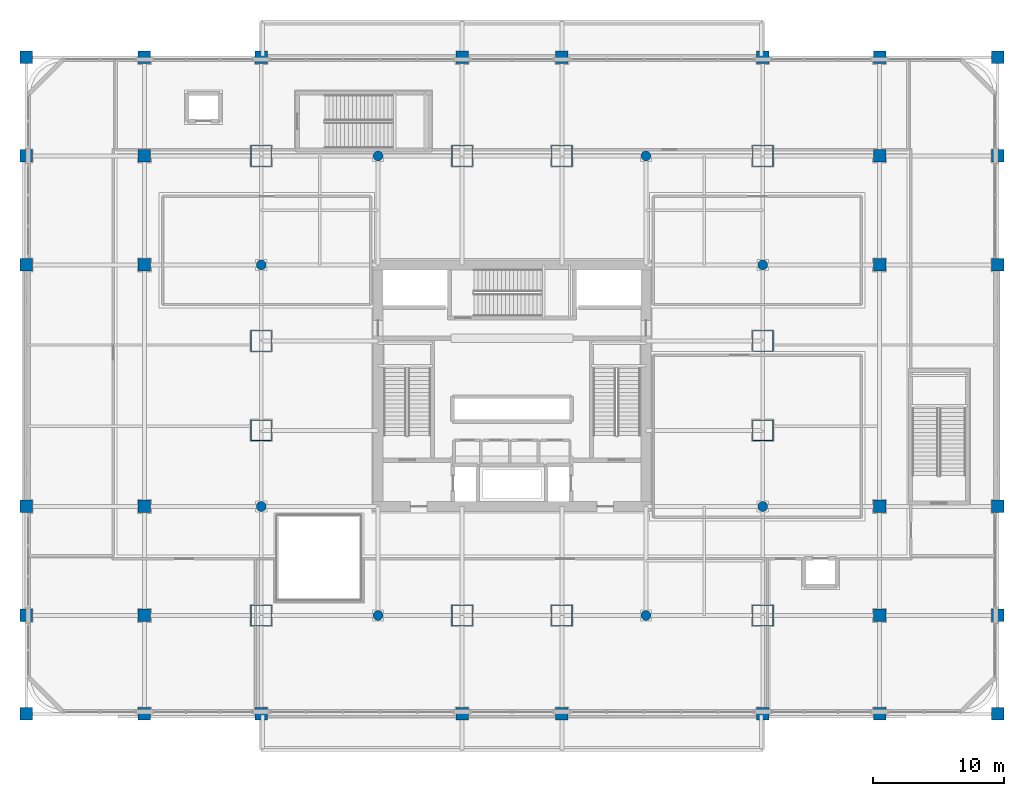
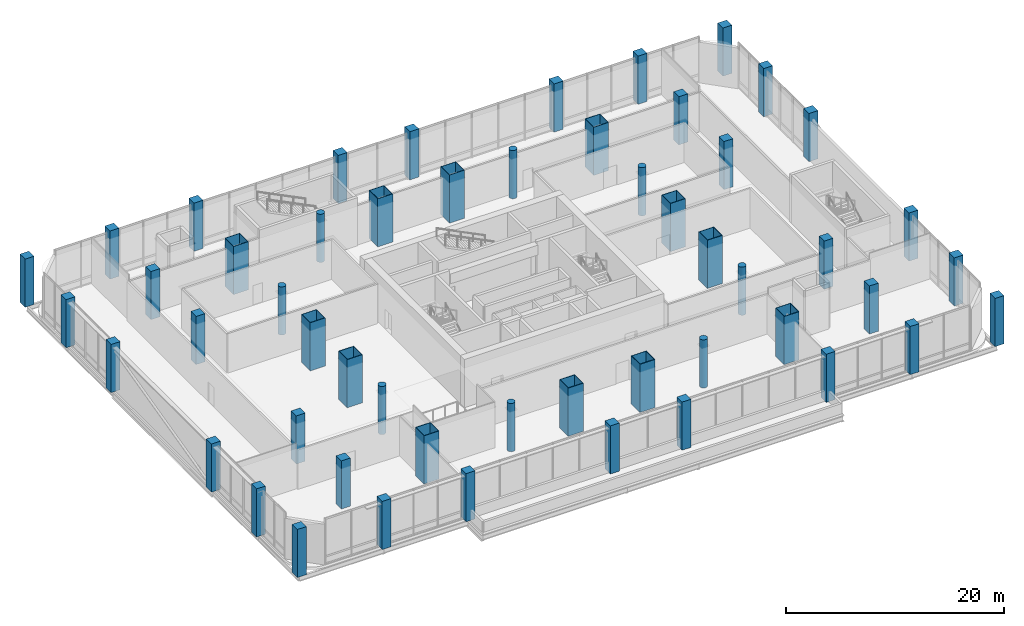
# One storey, part 1 of 43: 52 columns.
"""IFC4 building model written with IfcOpenShell, lengths in metres."""

from ifc_helpers import new_model, si_unit, direction, frame, origin, origin_2d, place, context, subcontext, project, spatial, rectangle, hollow_rectangle, circle, extrude, material, material_profile, profile_set, type_object, element, save


model = new_model("IFC4")

# Units and contexts
model_context = context("Model", 3, precision=1e-05, world=origin(), true_north=direction((0.0, 1.0)))
body_context = subcontext(model_context, "Body", "Model", "MODEL_VIEW")
ifc_project = project(units=[si_unit("LENGTHUNIT", "METRE"), si_unit("AREAUNIT", "SQUARE_METRE"), si_unit("VOLUMEUNIT", "CUBIC_METRE"), si_unit("PLANEANGLEUNIT", "RADIAN"), si_unit("MASSUNIT", "GRAM", prefix="KILO")], contexts=[model_context])

# Site, building, storey
site_placement = place(None, origin())
site = spatial("IfcSite", under=ifc_project, at=site_placement, CompositionType="ELEMENT")
building_placement = place(site_placement, origin())
building = spatial("IfcBuilding", under=site, at=building_placement, Name="Punatoya Terracotta Tower", CompositionType="ELEMENT")
storey_placement = place(building_placement, frame((0.0, 0.0, 6.0)))
storey = spatial("IfcBuildingStorey", under=building, at=storey_placement, Name="L01", CompositionType="ELEMENT", Elevation=6.0)

# Columns
ifc_material_1 = material(Name="Steel S460", Category="steel")
ifc_material_profile_1 = material_profile(ifc_material_1, hollow_rectangle(XDim=1.60009765625, YDim=1.60009765625, WallThickness=0.050048828125, at=origin_2d()))
ifc_profile_set_1 = profile_set([ifc_material_profile_1], Name="Steel S460")
column_type_1 = type_object("IfcColumnType", Name="COL-MC-Z0", PredefinedType="COLUMN", material=ifc_profile_set_1)
for number, where, z_axis, x_axis, name in (
    (1, (-19.10009765625, -17.5, 0.0), (0.0, 0.0, 1.0), (1.0, 0.0, 0.0), "L01 Composite Mega-Column MC-01 (3-B)"),
    (2, (-3.800048828125, -17.5, 0.0), (0.0, 0.0, 1.0), (1.0, 0.0, 0.0), "L01 Composite Mega-Column MC-02 (5-B)"),
    (3, (3.800048828125, -17.5, 0.0), (0.0, 0.0, 1.0), (1.0, 0.0, 0.0), "L01 Composite Mega-Column MC-03 (7-B)"),
    (4, (19.10009765625, -17.5, 0.0), (0.0, 0.0, 1.0), (1.0, 0.0, 0.0), "L01 Composite Mega-Column MC-04 (9-B)"),
    (5, (19.10009765625, -3.39990234375, 0.0), (0.0, 0.0, 1.0), (1.0, 0.0, 0.0), "L01 Composite Mega-Column MC-05 (9-D)"),
    (6, (19.10009765625, 3.39990234375, 0.0), (0.0, 0.0, 1.0), (1.0, 0.0, 0.0), "L01 Composite Mega-Column MC-06 (9-E)"),
    (7, (19.10009765625, 17.5, 0.0), (0.0, 0.0, 1.0), (1.0, 0.0, 0.0), "L01 Composite Mega-Column MC-07 (9-G)"),
    (8, (3.800048828125, 17.5, 0.0), (0.0, 0.0, 1.0), (1.0, 0.0, 0.0), "L01 Composite Mega-Column MC-08 (7-G)"),
    (9, (-3.800048828125, 17.5, 0.0), (0.0, 0.0, 1.0), (1.0, 0.0, 0.0), "L01 Composite Mega-Column MC-09 (5-G)"),
    (10, (-19.10009765625, 17.5, 0.0), (0.0, 0.0, 1.0), (1.0, 0.0, 0.0), "L01 Composite Mega-Column MC-10 (3-G)"),
    (11, (-19.10009765625, 3.39990234375, 0.0), (0.0, 0.0, 1.0), (1.0, 0.0, 0.0), "L01 Composite Mega-Column MC-11 (3-E)"),
    (12, (-19.10009765625, -3.39990234375, 0.0), (0.0, 0.0, 1.0), (1.0, 0.0, 0.0), "L01 Composite Mega-Column MC-12 (3-D)"),
):
    element("IfcColumn", number, at=place(storey_placement, frame(where, z_axis=z_axis, x_axis=x_axis)), inside=storey, type_object=column_type_1, Name=name, PredefinedType="COLUMN", context=body_context, shape_type="SweptSolid", body=[
        extrude(hollow_rectangle(XDim=1.60009765625, YDim=1.60009765625, WallThickness=0.050048828125, at=origin_2d()), origin(), (0.0, 0.0, 1.0), 5.39990234375),
    ])
ifc_material_2 = material(Name="Concrete C50/60", Category="concrete")
ifc_material_profile_2 = material_profile(ifc_material_2, circle(Radius=0.375, at=origin_2d()))
ifc_profile_set_2 = profile_set([ifc_material_profile_2], Name="Concrete C50/60")
column_type_2 = type_object("IfcColumnType", Name="COL-PIL-750", PredefinedType="PILASTER", material=ifc_profile_set_2)
for number, where, z_axis, x_axis, name in (
    (13, (-10.199951171875, -17.5, 0.0), (0.0, 0.0, 1.0), (1.0, 0.0, 0.0), "L01 Spine Arcade Pilaster PIL-01"),
    (14, (10.199951171875, -17.5, 0.0), (0.0, 0.0, 1.0), (1.0, 0.0, 0.0), "L01 Spine Arcade Pilaster PIL-02"),
    (15, (-10.199951171875, 17.5, 0.0), (0.0, 0.0, 1.0), (1.0, 0.0, 0.0), "L01 Spine Arcade Pilaster PIL-03"),
    (16, (10.199951171875, 17.5, 0.0), (0.0, 0.0, 1.0), (1.0, 0.0, 0.0), "L01 Spine Arcade Pilaster PIL-04"),
    (17, (-19.10009765625, -9.199951171875, 0.0), (0.0, 0.0, 1.0), (1.0, 0.0, 0.0), "L01 Spine Arcade Pilaster PIL-05"),
    (18, (19.10009765625, -9.199951171875, 0.0), (0.0, 0.0, 1.0), (1.0, 0.0, 0.0), "L01 Spine Arcade Pilaster PIL-06"),
    (19, (-19.10009765625, 9.199951171875, 0.0), (0.0, 0.0, 1.0), (1.0, 0.0, 0.0), "L01 Spine Arcade Pilaster PIL-07"),
    (20, (19.10009765625, 9.199951171875, 0.0), (0.0, 0.0, 1.0), (1.0, 0.0, 0.0), "L01 Spine Arcade Pilaster PIL-08"),
):
    element("IfcColumn", number, at=place(storey_placement, frame(where, z_axis=z_axis, x_axis=x_axis)), inside=storey, type_object=column_type_2, Name=name, PredefinedType="PILASTER", context=body_context, shape_type="SweptSolid", body=[
        extrude(circle(Radius=0.375, at=origin_2d()), origin(), (0.0, 0.0, 1.0), 5.39990234375),
    ])
ifc_material_3 = material(Name="Concrete C60/75", Category="concrete")
ifc_material_profile_3 = material_profile(ifc_material_3, rectangle(XDim=0.949951171875, YDim=0.949951171875, at=origin_2d()))
ifc_profile_set_3 = profile_set([ifc_material_profile_3], Name="Concrete C60/75")
column_type_3 = type_object("IfcColumnType", Name="COL-RC-950", PredefinedType="COLUMN", material=ifc_profile_set_3)
for number, where, z_axis, x_axis, name in (
    (21, (-37.0, -25.0, 0.0), (0.0, 0.0, 1.0), (1.0, 0.0, 0.0), "L01 Podium Column PC-01 (1-A)"),
    (22, (-28.0, -25.0, 0.0), (0.0, 0.0, 1.0), (1.0, 0.0, 0.0), "L01 Podium Column PC-02 (2-A)"),
    (23, (-19.10009765625, -25.0, 0.0), (0.0, 0.0, 1.0), (1.0, 0.0, 0.0), "L01 Podium Column PC-03 (3-A)"),
    (24, (-3.800048828125, -25.0, 0.0), (0.0, 0.0, 1.0), (1.0, 0.0, 0.0), "L01 Podium Column PC-04 (5-A)"),
    (25, (3.800048828125, -25.0, 0.0), (0.0, 0.0, 1.0), (1.0, 0.0, 0.0), "L01 Podium Column PC-05 (7-A)"),
    (26, (19.10009765625, -25.0, 0.0), (0.0, 0.0, 1.0), (1.0, 0.0, 0.0), "L01 Podium Column PC-06 (9-A)"),
    (27, (28.0, -25.0, 0.0), (0.0, 0.0, 1.0), (1.0, 0.0, 0.0), "L01 Podium Column PC-07 (10-A)"),
    (28, (37.0, -25.0, 0.0), (0.0, 0.0, 1.0), (1.0, 0.0, 0.0), "L01 Podium Column PC-08 (11-A)"),
    (29, (-37.0, -17.5, 0.0), (0.0, 0.0, 1.0), (1.0, 0.0, 0.0), "L01 Podium Column PC-09 (1-B)"),
    (30, (-28.0, -17.5, 0.0), (0.0, 0.0, 1.0), (1.0, 0.0, 0.0), "L01 Podium Column PC-10 (2-B)"),
    (31, (28.0, -17.5, 0.0), (0.0, 0.0, 1.0), (1.0, 0.0, 0.0), "L01 Podium Column PC-11 (10-B)"),
    (32, (37.0, -17.5, 0.0), (0.0, 0.0, 1.0), (1.0, 0.0, 0.0), "L01 Podium Column PC-12 (11-B)"),
    (33, (-37.0, -9.199951171875, 0.0), (0.0, 0.0, 1.0), (1.0, 0.0, 0.0), "L01 Podium Column PC-13 (1-C)"),
    (34, (37.0, -9.199951171875, 0.0), (0.0, 0.0, 1.0), (1.0, 0.0, 0.0), "L01 Podium Column PC-14 (11-C)"),
    (35, (-37.0, 9.199951171875, 0.0), (0.0, 0.0, 1.0), (1.0, 0.0, 0.0), "L01 Podium Column PC-15 (1-F)"),
    (36, (37.0, 9.199951171875, 0.0), (0.0, 0.0, 1.0), (1.0, 0.0, 0.0), "L01 Podium Column PC-16 (11-F)"),
    (37, (-37.0, 17.5, 0.0), (0.0, 0.0, 1.0), (1.0, 0.0, 0.0), "L01 Podium Column PC-17 (1-G)"),
    (38, (-28.0, 17.5, 0.0), (0.0, 0.0, 1.0), (1.0, 0.0, 0.0), "L01 Podium Column PC-18 (2-G)"),
    (39, (28.0, 17.5, 0.0), (0.0, 0.0, 1.0), (1.0, 0.0, 0.0), "L01 Podium Column PC-19 (10-G)"),
    (40, (37.0, 17.5, 0.0), (0.0, 0.0, 1.0), (1.0, 0.0, 0.0), "L01 Podium Column PC-20 (11-G)"),
    (41, (-37.0, 25.0, 0.0), (0.0, 0.0, 1.0), (1.0, 0.0, 0.0), "L01 Podium Column PC-21 (1-H)"),
    (42, (-28.0, 25.0, 0.0), (0.0, 0.0, 1.0), (1.0, 0.0, 0.0), "L01 Podium Column PC-22 (2-H)"),
    (43, (-19.10009765625, 25.0, 0.0), (0.0, 0.0, 1.0), (1.0, 0.0, 0.0), "L01 Podium Column PC-23 (3-H)"),
    (44, (-3.800048828125, 25.0, 0.0), (0.0, 0.0, 1.0), (1.0, 0.0, 0.0), "L01 Podium Column PC-24 (5-H)"),
    (45, (3.800048828125, 25.0, 0.0), (0.0, 0.0, 1.0), (1.0, 0.0, 0.0), "L01 Podium Column PC-25 (7-H)"),
    (46, (19.10009765625, 25.0, 0.0), (0.0, 0.0, 1.0), (1.0, 0.0, 0.0), "L01 Podium Column PC-26 (9-H)"),
    (47, (28.0, 25.0, 0.0), (0.0, 0.0, 1.0), (1.0, 0.0, 0.0), "L01 Podium Column PC-27 (10-H)"),
    (48, (37.0, 25.0, 0.0), (0.0, 0.0, 1.0), (1.0, 0.0, 0.0), "L01 Podium Column PC-28 (11-H)"),
    (49, (-28.0, -9.199951171875, 0.0), (0.0, 0.0, 1.0), (1.0, 0.0, 0.0), "L01 Podium Column PC-29 (2-C)"),
    (50, (-28.0, 9.199951171875, 0.0), (0.0, 0.0, 1.0), (1.0, 0.0, 0.0), "L01 Podium Column PC-30 (2-F)"),
    (51, (28.0, -9.199951171875, 0.0), (0.0, 0.0, 1.0), (1.0, 0.0, 0.0), "L01 Podium Column PC-31 (10-C)"),
    (52, (28.0, 9.199951171875, 0.0), (0.0, 0.0, 1.0), (1.0, 0.0, 0.0), "L01 Podium Column PC-32 (10-F)"),
):
    element("IfcColumn", number, at=place(storey_placement, frame(where, z_axis=z_axis, x_axis=x_axis)), inside=storey, type_object=column_type_3, Name=name, PredefinedType="COLUMN", context=body_context, shape_type="SweptSolid", body=[
        extrude(rectangle(XDim=0.949951171875, YDim=0.949951171875, at=origin_2d()), origin(), (0.0, 0.0, 1.0), 5.39990234375),
    ])

save(model, "model.ifc")
